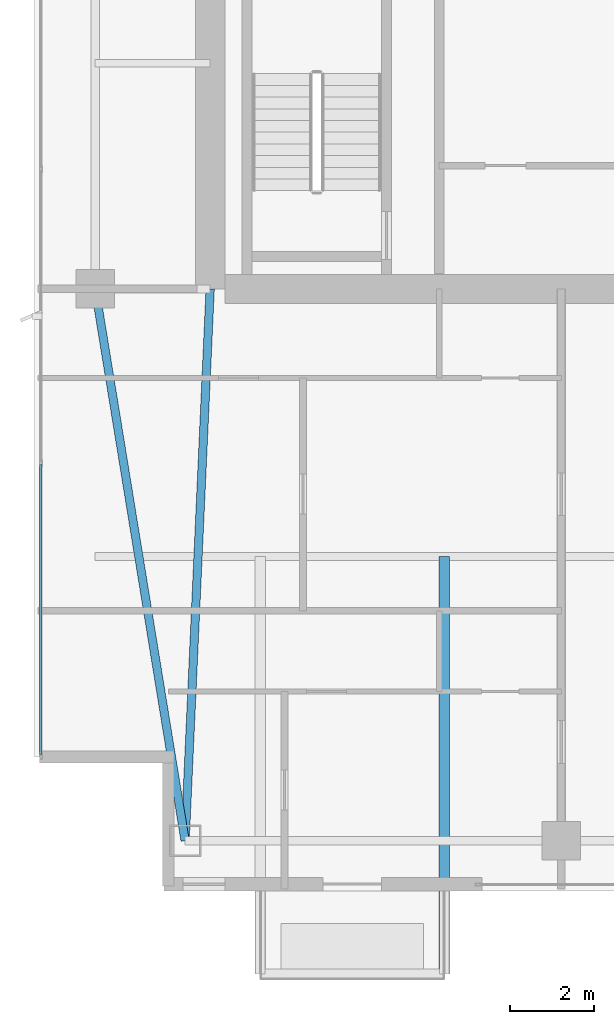
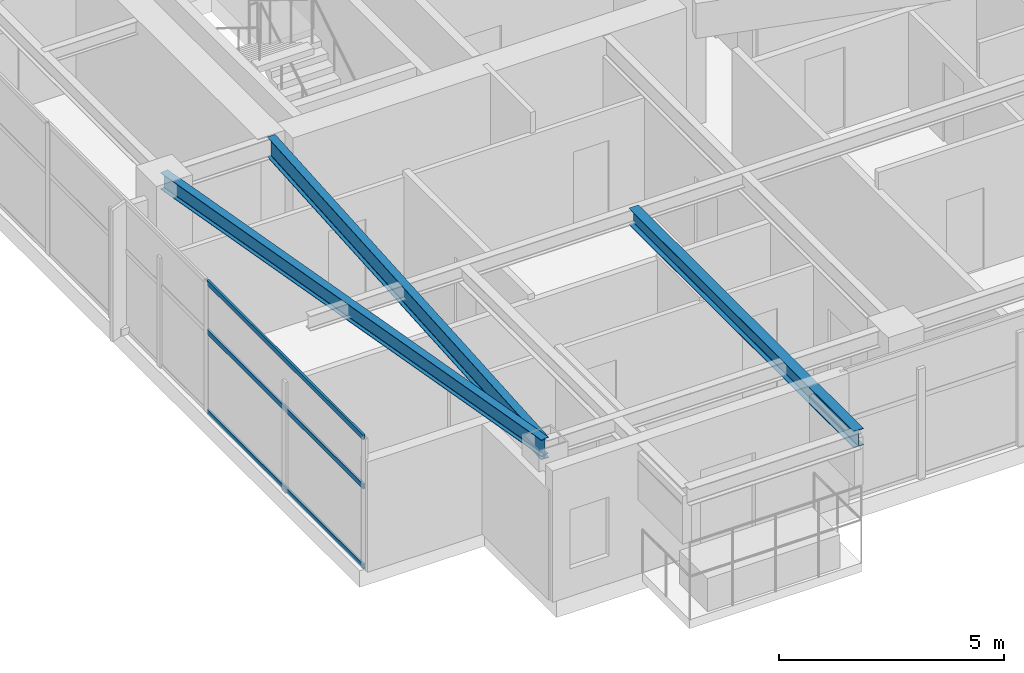
# One storey, part 4 of 28: 3 beams, 3 members, 1 element without a shape of its own.
"""IFC4 building model written with IfcOpenShell, lengths in metres."""

import ifcopenshell
import ifcopenshell.guid

model = None  # the IFC model being written
_history = None  # IfcOwnerHistory: only IFC2X3 demands one
_inside = {}  # id of a spatial element -> (the spatial element, [elements in it])
_under = {}  # id of a project, library or spatial element -> (it, [spatial elements below it])
_declared = {}  # id of a project -> (the project, [libraries it declares])
_typed = {}  # id of a type object -> (the type object, [elements of that type])
_made_of = {}  # id of a material, layer set ... -> (it, [elements and type objects made of it])


def new_model(schema):
    """Start an empty IFC model of exactly this schema.

    Asked for "IFC4X3", IfcOpenShell would pick the latest addendum, in which some entities
    have other attributes; the version numbers below select the first issue.
    IFC2X3 requires an IfcOwnerHistory on every rooted entity: one is made here for all.
    """
    global model, _history
    if schema == "IFC4X3":
        model = ifcopenshell.file(schema_version=(4, 3, 0, 0))
    else:
        model = ifcopenshell.file(schema=schema)
    _inside.clear()
    _under.clear()
    _declared.clear()
    _typed.clear()
    _made_of.clear()
    _history = None
    if model.schema == "IFC2X3":
        org = make("IfcOrganization", Name="unknown")
        user = make(
            "IfcPersonAndOrganization",
            ThePerson=make("IfcPerson", FamilyName="unknown"),
            TheOrganization=org,
        )
        app = make(
            "IfcApplication",
            ApplicationDeveloper=org,
            Version="unknown",
            ApplicationFullName="unknown",
            ApplicationIdentifier="unknown",
        )
        _history = make(
            "IfcOwnerHistory",
            OwningUser=user,
            OwningApplication=app,
            ChangeAction="ADDED",
            CreationDate=0,
        )
    return model


def make(cls, **values):
    """One entity of the class cls with the attributes given. An attribute that is None is left unset."""
    return model.create_entity(
        cls, **{name: value for name, value in values.items() if value is not None}
    )


def rooted(cls, **values):
    """An entity with a GlobalId (a new one), such as an element, a storey or a relation."""
    return make(cls, GlobalId=ifcopenshell.guid.new(), OwnerHistory=_history, **values)


def si_unit(unit_type, name, prefix=None):
    """IfcSIUnit, for example si_unit("LENGTHUNIT", "METRE", prefix="MILLI")."""
    return make("IfcSIUnit", UnitType=unit_type, Prefix=prefix, Name=name)


def assignment(units):
    """IfcUnitAssignment: the units of a project."""
    return None if units is None else make("IfcUnitAssignment", Units=units)


def point(xyz):
    """IfcCartesianPoint."""
    return None if xyz is None else make("IfcCartesianPoint", Coordinates=xyz)


def direction(xyz):
    """IfcDirection."""
    return None if xyz is None else make("IfcDirection", DirectionRatios=xyz)


def frame(location, z_axis=None, x_axis=None):
    """IfcAxis2Placement3D, a coordinate frame: its origin and axes. An axis left out is left unset."""
    return make(
        "IfcAxis2Placement3D",
        Location=point(location),
        Axis=direction(z_axis),
        RefDirection=direction(x_axis),
    )


def frame_2d(location, x_axis=None):
    """IfcAxis2Placement2D, a coordinate frame in the plane: its origin and x axis."""
    return make(
        "IfcAxis2Placement2D", Location=point(location), RefDirection=direction(x_axis)
    )


def origin():
    """The frame at (0, 0, 0) with its axes left unset."""
    return frame((0.0, 0.0, 0.0))


def origin_2d():
    """The frame at (0, 0) in the plane with its x axis left unset."""
    return frame_2d((0.0, 0.0))


def place(relative_to, where):
    """IfcLocalPlacement: puts the frame where relative to a parent placement (None: the world)."""
    return make(
        "IfcLocalPlacement", PlacementRelTo=relative_to, RelativePlacement=where
    )


def context(
    kind, dimensions, precision=None, world=None, true_north=None, identifier=None
):
    """IfcGeometricRepresentationContext, for example the 3D "Model" context."""
    return make(
        "IfcGeometricRepresentationContext",
        ContextIdentifier=identifier,
        ContextType=kind,
        CoordinateSpaceDimension=dimensions,
        Precision=precision,
        WorldCoordinateSystem=world,
        TrueNorth=true_north,
    )


def subcontext(parent, identifier, kind, view, scale=None):
    """IfcGeometricRepresentationSubContext, for example "Body" below "Model"."""
    return make(
        "IfcGeometricRepresentationSubContext",
        ContextIdentifier=identifier,
        ContextType=kind,
        ParentContext=parent,
        TargetScale=scale,
        TargetView=view,
    )


def project(units=None, contexts=None):
    """IfcProject with its units and contexts."""
    return rooted(
        "IfcProject",
        Name="project",
        RepresentationContexts=contexts,
        UnitsInContext=assignment(units),
    )


def spatial(cls, under=None, at=None, **own):
    """A site, building, storey or space (cls), placed at a placement, below another one or the project."""
    s = rooted(cls, ObjectPlacement=at, **own)
    if under is not None:
        _under.setdefault(under.id(), (under, []))[1].append(s)
    return s


def profile(cls, at=None, kind="AREA", **sizes):
    """A parametric profile (cls). Its sizes go by their IFC names, for example OverallWidth=200.0."""
    return make(cls, ProfileType=kind, Position=at, **sizes)


def hollow_rectangle(**sizes):
    """IfcRectangleHollowProfileDef."""
    return profile("IfcRectangleHollowProfileDef", **sizes)


def i_section(**sizes):
    """IfcIShapeProfileDef."""
    return profile("IfcIShapeProfileDef", **sizes)


def extrude(swept, where, along, depth):
    """IfcExtrudedAreaSolid: the profile swept, set in the frame where, extruded along a direction by depth."""
    return make(
        "IfcExtrudedAreaSolid",
        SweptArea=swept,
        Position=where,
        ExtrudedDirection=direction(along),
        Depth=depth,
    )


def shape(context_of_items, identifier, shape_type, items):
    """IfcShapeRepresentation: the items that make up one representation, for example the "Body"."""
    return make(
        "IfcShapeRepresentation",
        ContextOfItems=context_of_items,
        RepresentationIdentifier=identifier,
        RepresentationType=shape_type,
        Items=items,
    )


def material(Name=None, Category=None):
    """IfcMaterial."""
    return make("IfcMaterial", Name=Name, Category=Category)


def layer(
    of_material, thickness, ventilated=None, Name=None, Category=None, Priority=None
):
    """IfcMaterialLayer: one layer of a wall or slab, of a material (None: an air gap)."""
    return make(
        "IfcMaterialLayer",
        Material=of_material,
        LayerThickness=thickness,
        IsVentilated=ventilated,
        Name=Name,
        Category=Category,
        Priority=Priority,
    )


def layer_set(layers, Name=None):
    """IfcMaterialLayerSet."""
    return make("IfcMaterialLayerSet", MaterialLayers=layers, LayerSetName=Name)


def material_profile(
    of_material, cross_section, Name=None, Category=None, Priority=None
):
    """IfcMaterialProfile: a cross section and its material."""
    return make(
        "IfcMaterialProfile",
        Name=Name,
        Material=of_material,
        Profile=cross_section,
        Priority=Priority,
        Category=Category,
    )


def profile_set(profiles, Name=None, composite=None):
    """IfcMaterialProfileSet."""
    return make(
        "IfcMaterialProfileSet",
        Name=Name,
        MaterialProfiles=profiles,
        CompositeProfile=composite,
    )


def made_of(thing, what):
    """Note that an element or type object is made of a material, layer set ...; save() writes the relation."""
    if what is not None:
        _made_of.setdefault(what.id(), (what, []))[1].append(thing)
    return thing


def type_object(cls, material=None, **own):
    """A type object (cls), such as IfcWallType, which elements share."""
    return made_of(rooted(cls, **own), material)


def element(
    cls,
    number,
    at=None,
    inside=None,
    cuts=None,
    type_object=None,
    material=None,
    context=None,
    identifier="Body",
    shape_type=None,
    held_by="IfcProductDefinitionShape",
    body=None,
    shapes=None,
    **own,
):
    """One element of the class cls, such as IfcWall. Its Tag is "e" and its number.

    at: its placement. inside: the storey or other place that contains it. cuts: it is an
    opening in that element (IfcRelVoidsElement). A single representation is given by context,
    identifier, shape_type and body (its items); several are given by shapes. held_by: the class
    of the entity that holds the representations. save() writes the other relations.
    """
    e = rooted(cls, Tag="e%d" % number, ObjectPlacement=at, **own)
    if body is not None:
        shapes = [shape(context, identifier, shape_type, body)]
    if shapes is not None:
        e.Representation = make(held_by, Representations=shapes)
    if inside is not None:
        _inside.setdefault(inside.id(), (inside, []))[1].append(e)
    if cuts is not None:
        rooted(
            "IfcRelVoidsElement", RelatingBuildingElement=cuts, RelatedOpeningElement=e
        )
    if type_object is not None:
        _typed.setdefault(type_object.id(), (type_object, []))[1].append(e)
    return made_of(e, material)


def aggregate(whole, parts):
    """IfcRelAggregates: a whole, such as a stair, and the parts it consists of."""
    return rooted("IfcRelAggregates", RelatingObject=whole, RelatedObjects=parts)


def save(model, path):
    """Write the relations noted so far, then the file.

    IfcRelAggregates (storeys below a building ...), IfcRelContainedInSpatialStructure (elements
    in a storey), IfcRelDefinesByType, IfcRelAssociatesMaterial and IfcRelDeclares: one each for
    every whole, place, type object, material and project.
    """
    for whole, parts in _under.values():
        aggregate(whole, parts)
    for where, things in _inside.values():
        rooted(
            "IfcRelContainedInSpatialStructure",
            RelatedElements=things,
            RelatingStructure=where,
        )
    for kind, things in _typed.values():
        rooted("IfcRelDefinesByType", RelatedObjects=things, RelatingType=kind)
    for what, things in _made_of.values():
        rooted("IfcRelAssociatesMaterial", RelatedObjects=things, RelatingMaterial=what)
    for by, libraries in _declared.values():
        rooted("IfcRelDeclares", RelatingContext=by, RelatedDefinitions=libraries)
    model.write(path)


model = new_model("IFC4")

# Units and contexts
model_context = context("Model", 3, precision=1e-05, world=origin(), true_north=direction((0.0, 1.0)))
body_context = subcontext(model_context, "Body", "Model", "MODEL_VIEW")
ifc_project = project(units=[si_unit("LENGTHUNIT", "METRE"), si_unit("AREAUNIT", "SQUARE_METRE"), si_unit("VOLUMEUNIT", "CUBIC_METRE"), si_unit("PLANEANGLEUNIT", "RADIAN"), si_unit("MASSUNIT", "GRAM", prefix="KILO")], contexts=[model_context])

# Site, building, storey
site_placement = place(None, origin())
site = spatial("IfcSite", under=ifc_project, at=site_placement, CompositionType="ELEMENT")
building_placement = place(site_placement, origin())
building = spatial("IfcBuilding", under=site, at=building_placement, Name="Calvorn Quay Hotel", CompositionType="ELEMENT")
storey_placement = place(building_placement, frame((0.0, 0.0, 263.5)))
storey = spatial("IfcBuildingStorey", under=building, at=storey_placement, Name="L65", CompositionType="ELEMENT", Elevation=263.5)

# Beams
ifc_material_1 = material(Name="Steel Q355B", Category="steel")
ifc_material_profile_1 = material_profile(ifc_material_1, i_section(OverallWidth=0.25, OverallDepth=0.449951171875, WebThickness=0.011962890625, FlangeThickness=0.01611328125, FilletRadius=0.01611328125, at=origin_2d()), Name="HN450x250x12x16")
ifc_profile_set_1 = profile_set([ifc_material_profile_1], Name="Steel Q355B")
beam_type_1 = type_object("IfcBeamType", Name="BM-CANT-BALC", PredefinedType="BEAM", material=ifc_profile_set_1)
beam_1_placement = place(storey_placement, frame((9.800048828125, 10.39990234375, 3.31494140625), z_axis=(0.0, -1.0, 0.0), x_axis=(1.0, 0.0, 0.0)))
element("IfcBeam", 1, at=beam_1_placement, inside=storey, type_object=beam_type_1, Name="Cantilever Balcony Beam BCB-L66-2B", PredefinedType="BEAM", context=body_context, shape_type="SweptSolid", body=[
    extrude(i_section(OverallWidth=0.25, OverallDepth=0.449951171875, WebThickness=0.011962890625, FlangeThickness=0.01611328125, FilletRadius=0.01611328125, at=origin_2d()), origin(), (0.0, 0.0, 1.0), 9.989990234375),
])
ifc_material_2 = material(Name="Steel Q355B", Category="steel")
ifc_material_profile_2 = material_profile(ifc_material_2, i_section(OverallWidth=0.199951171875, OverallDepth=0.550048828125, WebThickness=0.010009765625, FlangeThickness=0.01611328125, FilletRadius=0.01806640625, at=origin_2d()), Name="HN550x200x10x16")
ifc_profile_set_2 = profile_set([ifc_material_profile_2], Name="Steel Q355B")
beam_type_2 = type_object("IfcBeamType", Name="BM-GIRD-UPP", PredefinedType="BEAM", material=ifc_profile_set_2)
beam_2_placement = place(storey_placement, frame((3.60009765625, 3.60009765625, 3.264892578125), z_axis=(0.045396765494, 0.998969035397, 0.0), x_axis=(-0.998969035397, 0.045396765494, 0.0)))
element("IfcBeam", 2, at=beam_2_placement, inside=storey, type_object=beam_type_2, Name="Beam BG-L65-W0", PredefinedType="BEAM", context=body_context, shape_type="SweptSolid", body=[
    extrude(i_section(OverallWidth=0.199951171875, OverallDepth=0.550048828125, WebThickness=0.010009765625, FlangeThickness=0.01611328125, FilletRadius=0.01806640625, at=origin_2d()), origin(), (0.0, 0.0, 1.0), 13.213623046875),
])
ifc_material_3 = material(Name="Steel Q355B", Category="steel")
ifc_material_profile_3 = material_profile(ifc_material_3, i_section(OverallWidth=0.199951171875, OverallDepth=0.449951171875, WebThickness=0.009033203125, FlangeThickness=0.013916015625, FilletRadius=0.01611328125, at=origin_2d()), Name="HN450x200x9x14")
ifc_profile_set_3 = profile_set([ifc_material_profile_3], Name="Steel Q355B")
beam_type_3 = type_object("IfcBeamType", Name="BM-SPANDREL-Z3", PredefinedType="SPANDREL", material=ifc_profile_set_3)
beam_3_placement = place(storey_placement, frame((3.60009765625, 3.60009765625, 3.31494140625), z_axis=(-0.16077155054, 0.986991645627, 0.0), x_axis=(-0.986991645627, -0.16077155054, 0.0)))
element("IfcBeam", 3, at=beam_3_placement, inside=storey, type_object=beam_type_3, Name="Beam BSP-L65-W1", PredefinedType="SPANDREL", context=body_context, shape_type="SweptSolid", body=[
    extrude(i_section(OverallWidth=0.199951171875, OverallDepth=0.449951171875, WebThickness=0.009033203125, FlangeThickness=0.013916015625, FilletRadius=0.01611328125, at=origin_2d()), origin(), (0.0, 0.0, 1.0), 13.3740234375),
])

# Curtain wall, members
ifc_material_4 = material(Name="Champagne Bronze Anodised Aluminium and Low-E Glass", Category="aluminium")
ifc_layer = layer(ifc_material_4, 0.219970703125)
ifc_layer_set = layer_set([ifc_layer], Name="CW-SYS-Z4")
curtain_wall_type = type_object("IfcCurtainWallType", Name="CW-SYS-Z4", PredefinedType="NOTDEFINED", material=ifc_layer_set)
curtain_wall_placement = place(storey_placement, origin())
curtain_wall = element("IfcCurtainWall", 4, at=curtain_wall_placement, inside=storey, type_object=curtain_wall_type, Name="Tower West Curtain Wall (L65)", PredefinedType="NOTDEFINED")
ifc_material_5 = material(Name="Champagne Bronze Anodised Aluminium 6063-T6", Category="aluminium")
ifc_material_profile_4 = material_profile(ifc_material_5, hollow_rectangle(XDim=0.054931640625, YDim=0.1298828125, WallThickness=0.003173828125, at=origin_2d()), Name="ALU-T130x55x3.2")
ifc_profile_set_4 = profile_set([ifc_material_profile_4], Name="Champagne Bronze Anodised Aluminium 6063-T6")
member_type = type_object("IfcMemberType", Name="CW-SYS-Z4-TRN", PredefinedType="USERDEFINED", material=ifc_profile_set_4)
member_1_placement = place(storey_placement, frame((0.14990234375, 5.659912109375, 0.030029296875), z_axis=(0.0, 1.0, 0.0), x_axis=(-1.0, 0.0, 0.0)))
member_1 = element("IfcMember", 5, at=member_1_placement, type_object=member_type, Name="CW-L65-W transom 1.1", ObjectType="TRANSOM", PredefinedType="USERDEFINED", context=body_context, shape_type="SweptSolid", body=[
    extrude(hollow_rectangle(XDim=0.054931640625, YDim=0.1298828125, WallThickness=0.003173828125, at=origin_2d()), origin(), (0.0, 0.0, 1.0), 6.943359375),
])
member_2_placement = place(storey_placement, frame((0.14990234375, 5.659912109375, 2.199951171875), z_axis=(0.0, 1.0, 0.0), x_axis=(-1.0, 0.0, 0.0)))
member_2 = element("IfcMember", 6, at=member_2_placement, type_object=member_type, Name="CW-L65-W transom 1.2", ObjectType="TRANSOM", PredefinedType="USERDEFINED", context=body_context, shape_type="SweptSolid", body=[
    extrude(hollow_rectangle(XDim=0.054931640625, YDim=0.1298828125, WallThickness=0.003173828125, at=origin_2d()), origin(), (0.0, 0.0, 1.0), 6.943359375),
])
member_3_placement = place(storey_placement, frame((0.14990234375, 5.659912109375, 3.530029296875), z_axis=(0.0, 1.0, 0.0), x_axis=(-1.0, 0.0, 0.0)))
member_3 = element("IfcMember", 7, at=member_3_placement, type_object=member_type, Name="CW-L65-W transom 1.3", ObjectType="TRANSOM", PredefinedType="USERDEFINED", context=body_context, shape_type="SweptSolid", body=[
    extrude(hollow_rectangle(XDim=0.054931640625, YDim=0.1298828125, WallThickness=0.003173828125, at=origin_2d()), origin(), (0.0, 0.0, 1.0), 6.943359375),
])
aggregate(curtain_wall, [member_1, member_2, member_3])

save(model, "model.ifc")
